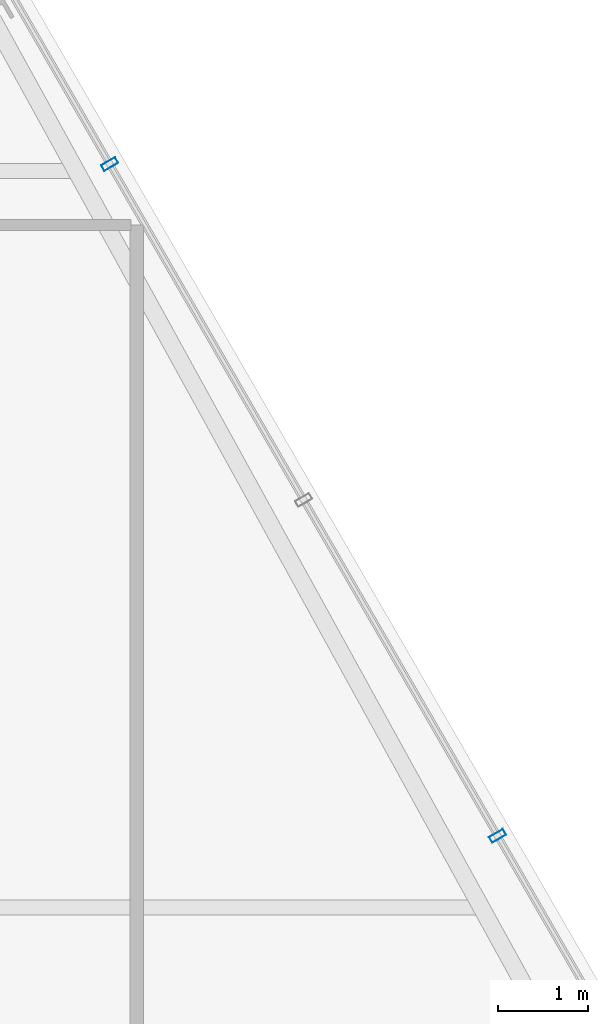
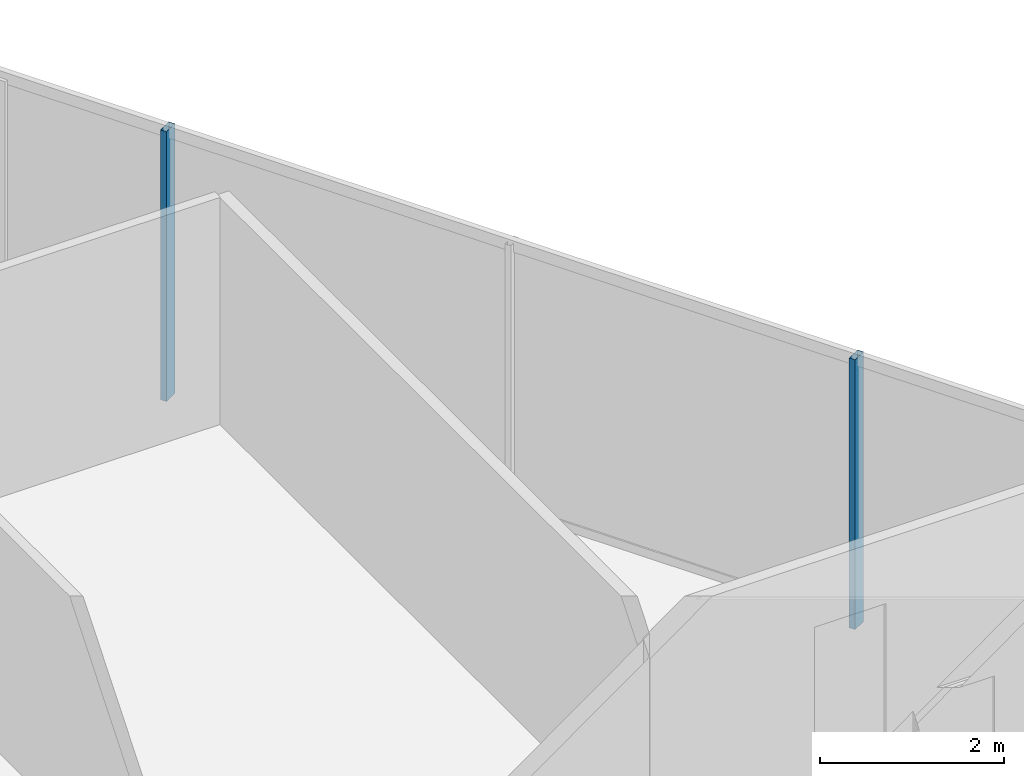
# One storey, part 17 of 30: 2 members, 1 element without a shape of its own.
"""IFC4 building model written with IfcOpenShell, lengths in metres."""

from ifc_helpers import new_model, si_unit, direction, frame, origin, origin_2d, place, context, subcontext, project, spatial, hollow_rectangle, extrude, material, layer, layer_set, material_profile, profile_set, type_object, element, aggregate, save


model = new_model("IFC4")

# Units and contexts
model_context = context("Model", 3, precision=1e-05, world=origin(), true_north=direction((0.0, 1.0)))
body_context = subcontext(model_context, "Body", "Model", "MODEL_VIEW")
ifc_project = project(units=[si_unit("LENGTHUNIT", "METRE"), si_unit("AREAUNIT", "SQUARE_METRE"), si_unit("VOLUMEUNIT", "CUBIC_METRE"), si_unit("PLANEANGLEUNIT", "RADIAN"), si_unit("MASSUNIT", "GRAM", prefix="KILO")], contexts=[model_context])

# Site, building, storey
site_placement = place(None, origin())
site = spatial("IfcSite", under=ifc_project, at=site_placement, CompositionType="ELEMENT")
building_placement = place(site_placement, origin())
building = spatial("IfcBuilding", under=site, at=building_placement, Name="Ndaravel Arena Tower", CompositionType="ELEMENT")
storey_placement = place(building_placement, frame((0.0, 0.0, 221.800048828125)))
storey = spatial("IfcBuildingStorey", under=building, at=storey_placement, Name="L53", CompositionType="ELEMENT", Elevation=221.800048828125)

# Curtain wall, members
ifc_material_1 = material(Name="Aluminium", Category="aluminium")
ifc_layer = layer(ifc_material_1, 0.179931640625)
ifc_layer_set = layer_set([ifc_layer], Name="Aluminium")
curtain_wall_type = type_object("IfcCurtainWallType", Name="CW-SYS-03", PredefinedType="NOTDEFINED", material=ifc_layer_set)
curtain_wall_placement = place(storey_placement, origin())
curtain_wall = element("IfcCurtainWall", 1, at=curtain_wall_placement, inside=storey, type_object=curtain_wall_type, Name="L53 Faceted Crystal Curtain Wall CW-L53-E03", PredefinedType="NOTDEFINED")
ifc_material_2 = material(Name="Aluminium", Category="aluminium")
ifc_material_profile = material_profile(ifc_material_2, hollow_rectangle(XDim=0.074951171875, YDim=0.179931640625, WallThickness=0.00390625, at=origin_2d()), Name="CW MULLION 75x180x4")
ifc_profile_set = profile_set([ifc_material_profile], Name="Aluminium")
member_type = type_object("IfcMemberType", Name="MEM-CW-MUL180", PredefinedType="MULLION", material=ifc_profile_set)
member_1_placement = place(storey_placement, frame((61.0166015625, 19.398193359375, 0.0), z_axis=(0.0, 0.0, 1.0), x_axis=(-0.5, 0.866025403784, 0.0)))
member_1 = element("IfcMember", 2, at=member_1_placement, type_object=member_type, Name="CW-L53-E03 Mullion 02", PredefinedType="MULLION", context=body_context, shape_type="SweptSolid", body=[
    extrude(hollow_rectangle(XDim=0.074951171875, YDim=0.179931640625, WallThickness=0.00390625, at=origin_2d()), origin(), (0.0, 0.0, 1.0), 3.579833984375),
])
member_2_placement = place(storey_placement, frame((56.697998046875, 26.8779296875, 0.0), z_axis=(0.0, 0.0, 1.0), x_axis=(-0.5, 0.866025403784, 0.0)))
member_2 = element("IfcMember", 3, at=member_2_placement, type_object=member_type, Name="CW-L53-E03 Mullion 04", PredefinedType="MULLION", context=body_context, shape_type="SweptSolid", body=[
    extrude(hollow_rectangle(XDim=0.074951171875, YDim=0.179931640625, WallThickness=0.00390625, at=origin_2d()), origin(), (0.0, 0.0, 1.0), 3.579833984375),
])
aggregate(curtain_wall, [member_1, member_2])

save(model, "model.ifc")
